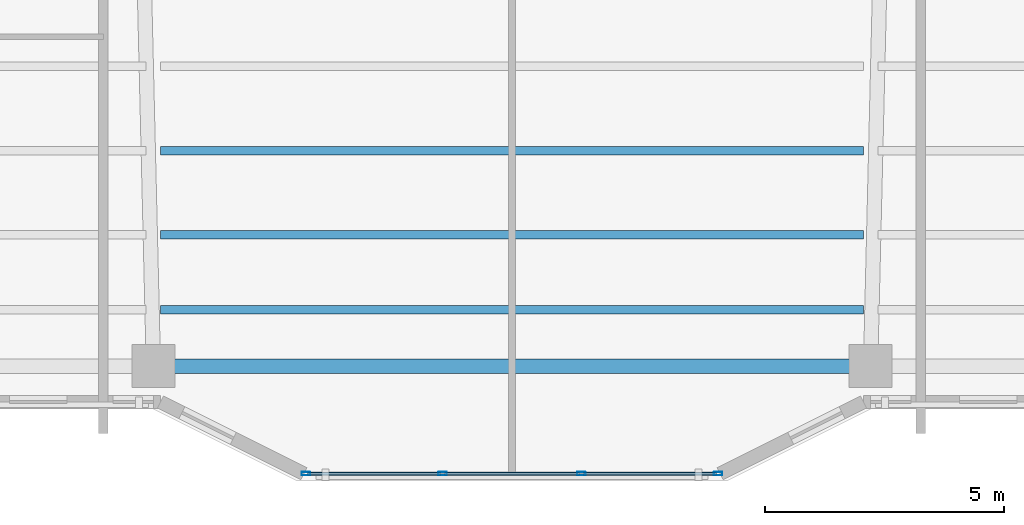
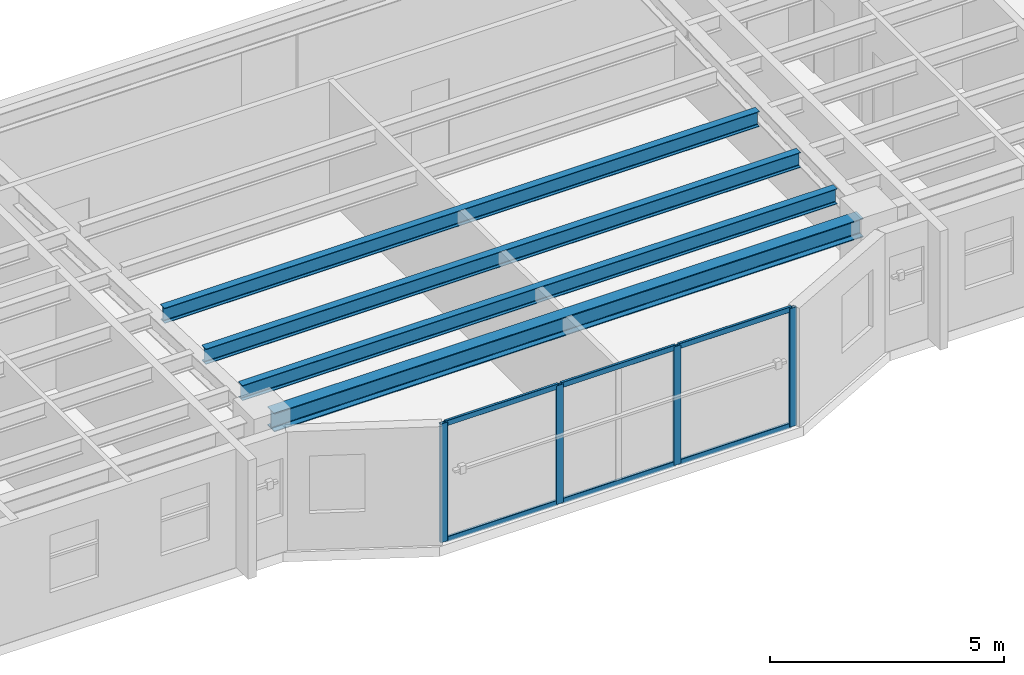
# One storey, part 2 of 16: 10 members, 4 beams, 1 element without a shape of its own.
"""IFC4 building model written with IfcOpenShell, lengths in metres."""

import ifcopenshell
import ifcopenshell.guid

model = None  # the IFC model being written
_history = None  # IfcOwnerHistory: only IFC2X3 demands one
_inside = {}  # id of a spatial element -> (the spatial element, [elements in it])
_under = {}  # id of a project, library or spatial element -> (it, [spatial elements below it])
_declared = {}  # id of a project -> (the project, [libraries it declares])
_typed = {}  # id of a type object -> (the type object, [elements of that type])
_made_of = {}  # id of a material, layer set ... -> (it, [elements and type objects made of it])


def new_model(schema):
    """Start an empty IFC model of exactly this schema.

    Asked for "IFC4X3", IfcOpenShell would pick the latest addendum, in which some entities
    have other attributes; the version numbers below select the first issue.
    IFC2X3 requires an IfcOwnerHistory on every rooted entity: one is made here for all.
    """
    global model, _history
    if schema == "IFC4X3":
        model = ifcopenshell.file(schema_version=(4, 3, 0, 0))
    else:
        model = ifcopenshell.file(schema=schema)
    _inside.clear()
    _under.clear()
    _declared.clear()
    _typed.clear()
    _made_of.clear()
    _history = None
    if model.schema == "IFC2X3":
        org = make("IfcOrganization", Name="unknown")
        user = make(
            "IfcPersonAndOrganization",
            ThePerson=make("IfcPerson", FamilyName="unknown"),
            TheOrganization=org,
        )
        app = make(
            "IfcApplication",
            ApplicationDeveloper=org,
            Version="unknown",
            ApplicationFullName="unknown",
            ApplicationIdentifier="unknown",
        )
        _history = make(
            "IfcOwnerHistory",
            OwningUser=user,
            OwningApplication=app,
            ChangeAction="ADDED",
            CreationDate=0,
        )
    return model


def make(cls, **values):
    """One entity of the class cls with the attributes given. An attribute that is None is left unset."""
    return model.create_entity(
        cls, **{name: value for name, value in values.items() if value is not None}
    )


def rooted(cls, **values):
    """An entity with a GlobalId (a new one), such as an element, a storey or a relation."""
    return make(cls, GlobalId=ifcopenshell.guid.new(), OwnerHistory=_history, **values)


def si_unit(unit_type, name, prefix=None):
    """IfcSIUnit, for example si_unit("LENGTHUNIT", "METRE", prefix="MILLI")."""
    return make("IfcSIUnit", UnitType=unit_type, Prefix=prefix, Name=name)


def assignment(units):
    """IfcUnitAssignment: the units of a project."""
    return None if units is None else make("IfcUnitAssignment", Units=units)


def point(xyz):
    """IfcCartesianPoint."""
    return None if xyz is None else make("IfcCartesianPoint", Coordinates=xyz)


def direction(xyz):
    """IfcDirection."""
    return None if xyz is None else make("IfcDirection", DirectionRatios=xyz)


def frame(location, z_axis=None, x_axis=None):
    """IfcAxis2Placement3D, a coordinate frame: its origin and axes. An axis left out is left unset."""
    return make(
        "IfcAxis2Placement3D",
        Location=point(location),
        Axis=direction(z_axis),
        RefDirection=direction(x_axis),
    )


def frame_2d(location, x_axis=None):
    """IfcAxis2Placement2D, a coordinate frame in the plane: its origin and x axis."""
    return make(
        "IfcAxis2Placement2D", Location=point(location), RefDirection=direction(x_axis)
    )


def origin():
    """The frame at (0, 0, 0) with its axes left unset."""
    return frame((0.0, 0.0, 0.0))


def origin_2d():
    """The frame at (0, 0) in the plane with its x axis left unset."""
    return frame_2d((0.0, 0.0))


def place(relative_to, where):
    """IfcLocalPlacement: puts the frame where relative to a parent placement (None: the world)."""
    return make(
        "IfcLocalPlacement", PlacementRelTo=relative_to, RelativePlacement=where
    )


def context(
    kind, dimensions, precision=None, world=None, true_north=None, identifier=None
):
    """IfcGeometricRepresentationContext, for example the 3D "Model" context."""
    return make(
        "IfcGeometricRepresentationContext",
        ContextIdentifier=identifier,
        ContextType=kind,
        CoordinateSpaceDimension=dimensions,
        Precision=precision,
        WorldCoordinateSystem=world,
        TrueNorth=true_north,
    )


def subcontext(parent, identifier, kind, view, scale=None):
    """IfcGeometricRepresentationSubContext, for example "Body" below "Model"."""
    return make(
        "IfcGeometricRepresentationSubContext",
        ContextIdentifier=identifier,
        ContextType=kind,
        ParentContext=parent,
        TargetScale=scale,
        TargetView=view,
    )


def project(units=None, contexts=None):
    """IfcProject with its units and contexts."""
    return rooted(
        "IfcProject",
        Name="project",
        RepresentationContexts=contexts,
        UnitsInContext=assignment(units),
    )


def spatial(cls, under=None, at=None, **own):
    """A site, building, storey or space (cls), placed at a placement, below another one or the project."""
    s = rooted(cls, ObjectPlacement=at, **own)
    if under is not None:
        _under.setdefault(under.id(), (under, []))[1].append(s)
    return s


def profile(cls, at=None, kind="AREA", **sizes):
    """A parametric profile (cls). Its sizes go by their IFC names, for example OverallWidth=200.0."""
    return make(cls, ProfileType=kind, Position=at, **sizes)


def hollow_rectangle(**sizes):
    """IfcRectangleHollowProfileDef."""
    return profile("IfcRectangleHollowProfileDef", **sizes)


def i_section(**sizes):
    """IfcIShapeProfileDef."""
    return profile("IfcIShapeProfileDef", **sizes)


def extrude(swept, where, along, depth):
    """IfcExtrudedAreaSolid: the profile swept, set in the frame where, extruded along a direction by depth."""
    return make(
        "IfcExtrudedAreaSolid",
        SweptArea=swept,
        Position=where,
        ExtrudedDirection=direction(along),
        Depth=depth,
    )


def shape(context_of_items, identifier, shape_type, items):
    """IfcShapeRepresentation: the items that make up one representation, for example the "Body"."""
    return make(
        "IfcShapeRepresentation",
        ContextOfItems=context_of_items,
        RepresentationIdentifier=identifier,
        RepresentationType=shape_type,
        Items=items,
    )


def material(Name=None, Category=None):
    """IfcMaterial."""
    return make("IfcMaterial", Name=Name, Category=Category)


def layer(
    of_material, thickness, ventilated=None, Name=None, Category=None, Priority=None
):
    """IfcMaterialLayer: one layer of a wall or slab, of a material (None: an air gap)."""
    return make(
        "IfcMaterialLayer",
        Material=of_material,
        LayerThickness=thickness,
        IsVentilated=ventilated,
        Name=Name,
        Category=Category,
        Priority=Priority,
    )


def layer_set(layers, Name=None):
    """IfcMaterialLayerSet."""
    return make("IfcMaterialLayerSet", MaterialLayers=layers, LayerSetName=Name)


def material_profile(
    of_material, cross_section, Name=None, Category=None, Priority=None
):
    """IfcMaterialProfile: a cross section and its material."""
    return make(
        "IfcMaterialProfile",
        Name=Name,
        Material=of_material,
        Profile=cross_section,
        Priority=Priority,
        Category=Category,
    )


def profile_set(profiles, Name=None, composite=None):
    """IfcMaterialProfileSet."""
    return make(
        "IfcMaterialProfileSet",
        Name=Name,
        MaterialProfiles=profiles,
        CompositeProfile=composite,
    )


def made_of(thing, what):
    """Note that an element or type object is made of a material, layer set ...; save() writes the relation."""
    if what is not None:
        _made_of.setdefault(what.id(), (what, []))[1].append(thing)
    return thing


def type_object(cls, material=None, **own):
    """A type object (cls), such as IfcWallType, which elements share."""
    return made_of(rooted(cls, **own), material)


def element(
    cls,
    number,
    at=None,
    inside=None,
    cuts=None,
    type_object=None,
    material=None,
    context=None,
    identifier="Body",
    shape_type=None,
    held_by="IfcProductDefinitionShape",
    body=None,
    shapes=None,
    **own,
):
    """One element of the class cls, such as IfcWall. Its Tag is "e" and its number.

    at: its placement. inside: the storey or other place that contains it. cuts: it is an
    opening in that element (IfcRelVoidsElement). A single representation is given by context,
    identifier, shape_type and body (its items); several are given by shapes. held_by: the class
    of the entity that holds the representations. save() writes the other relations.
    """
    e = rooted(cls, Tag="e%d" % number, ObjectPlacement=at, **own)
    if body is not None:
        shapes = [shape(context, identifier, shape_type, body)]
    if shapes is not None:
        e.Representation = make(held_by, Representations=shapes)
    if inside is not None:
        _inside.setdefault(inside.id(), (inside, []))[1].append(e)
    if cuts is not None:
        rooted(
            "IfcRelVoidsElement", RelatingBuildingElement=cuts, RelatedOpeningElement=e
        )
    if type_object is not None:
        _typed.setdefault(type_object.id(), (type_object, []))[1].append(e)
    return made_of(e, material)


def aggregate(whole, parts):
    """IfcRelAggregates: a whole, such as a stair, and the parts it consists of."""
    return rooted("IfcRelAggregates", RelatingObject=whole, RelatedObjects=parts)


def save(model, path):
    """Write the relations noted so far, then the file.

    IfcRelAggregates (storeys below a building ...), IfcRelContainedInSpatialStructure (elements
    in a storey), IfcRelDefinesByType, IfcRelAssociatesMaterial and IfcRelDeclares: one each for
    every whole, place, type object, material and project.
    """
    for whole, parts in _under.values():
        aggregate(whole, parts)
    for where, things in _inside.values():
        rooted(
            "IfcRelContainedInSpatialStructure",
            RelatedElements=things,
            RelatingStructure=where,
        )
    for kind, things in _typed.values():
        rooted("IfcRelDefinesByType", RelatedObjects=things, RelatingType=kind)
    for what, things in _made_of.values():
        rooted("IfcRelAssociatesMaterial", RelatedObjects=things, RelatingMaterial=what)
    for by, libraries in _declared.values():
        rooted("IfcRelDeclares", RelatingContext=by, RelatedDefinitions=libraries)
    model.write(path)


model = new_model("IFC4")

# Units and contexts
model_context = context("Model", 3, precision=1e-05, world=origin(), true_north=direction((0.0, 1.0)))
body_context = subcontext(model_context, "Body", "Model", "MODEL_VIEW")
ifc_project = project(units=[si_unit("LENGTHUNIT", "METRE"), si_unit("AREAUNIT", "SQUARE_METRE"), si_unit("VOLUMEUNIT", "CUBIC_METRE"), si_unit("PLANEANGLEUNIT", "RADIAN"), si_unit("MASSUNIT", "GRAM", prefix="KILO")], contexts=[model_context])

# Site, building, storey
site_placement = place(None, origin())
site = spatial("IfcSite", under=ifc_project, at=site_placement, CompositionType="ELEMENT")
building_placement = place(site_placement, origin())
building = spatial("IfcBuilding", under=site, at=building_placement, Name="Tarnavaz Court Tower", CompositionType="ELEMENT")
storey_placement = place(building_placement, frame((0.0, 0.0, 152.699951171875)))
storey = spatial("IfcBuildingStorey", under=building, at=storey_placement, Name="L41", CompositionType="ELEMENT", Elevation=152.699951171875)

# Beams
ifc_material_1 = material(Name="Steel S355", Category="steel")
ifc_material_profile_1 = material_profile(ifc_material_1, i_section(OverallWidth=0.179931640625, OverallDepth=0.39990234375, WebThickness=0.008544921875, FlangeThickness=0.013427734375, FilletRadius=0.02099609375, at=origin_2d()), Name="IPE 400")
ifc_profile_set_1 = profile_set([ifc_material_profile_1], Name="Steel S355")
beam_type_1 = type_object("IfcBeamType", Name="BM-J-IPE400", PredefinedType="JOIST", material=ifc_profile_set_1)
for number, where, z_axis, x_axis, name in (
    (1, (-7.35009765625, -15.89208984375, 2.900146484375), (1.0, 0.0, 0.0), (0.0, 1.0, 0.0), "L41 Beam JS3-2"),
    (2, (-7.35009765625, -17.656005859375, 2.900146484375), (1.0, 0.0, 0.0), (0.0, 1.0, 0.0), "L41 Beam JS4-2"),
    (3, (-7.35009765625, -19.22412109375, 2.900146484375), (1.0, 0.0, 0.0), (0.0, 1.0, 0.0), "L41 Beam JS5-2"),
):
    element("IfcBeam", number, at=place(storey_placement, frame(where, z_axis=z_axis, x_axis=x_axis)), inside=storey, type_object=beam_type_1, Name=name, PredefinedType="JOIST", context=body_context, shape_type="SweptSolid", body=[
        extrude(i_section(OverallWidth=0.179931640625, OverallDepth=0.39990234375, WebThickness=0.008544921875, FlangeThickness=0.013427734375, FilletRadius=0.02099609375, at=origin_2d()), origin(), (0.0, 0.0, 1.0), 14.7001953125),
    ])
ifc_material_profile_2 = material_profile(ifc_material_1, i_section(OverallWidth=0.300048828125, OverallDepth=0.489990234375, WebThickness=0.011962890625, FlangeThickness=0.02294921875, FilletRadius=0.027099609375, at=origin_2d()), Name="HEA 500")
ifc_profile_set_2 = profile_set([ifc_material_profile_2], Name="Steel S355")
beam_type_2 = type_object("IfcBeamType", Name="BM-SP-HEA500", PredefinedType="SPANDREL", material=ifc_profile_set_2)
beam_placement = place(storey_placement, frame((-7.280029296875, -20.39990234375, 2.85498046875), z_axis=(1.0, 0.0, 0.0), x_axis=(0.0, 1.0, 0.0)))
element("IfcBeam", 4, at=beam_placement, inside=storey, type_object=beam_type_2, Name="L41 Beam PR-PS-2-PS-3", PredefinedType="SPANDREL", context=body_context, shape_type="SweptSolid", body=[
    extrude(i_section(OverallWidth=0.300048828125, OverallDepth=0.489990234375, WebThickness=0.011962890625, FlangeThickness=0.02294921875, FilletRadius=0.027099609375, at=origin_2d()), origin(), (0.0, 0.0, 1.0), 14.56005859375),
])

# Curtain wall, members
ifc_material_2 = material(Name="Anodised Aluminium 6063-T6 and Solar Low-E Glazing", Category="aluminium")
ifc_layer = layer(ifc_material_2, 0.159912109375)
ifc_layer_set = layer_set([ifc_layer], Name="Anodised Aluminium 6063-T6 and Solar Low-E Glazing")
curtain_wall_type = type_object("IfcCurtainWallType", Name="CW-SYS-03", PredefinedType="NOTDEFINED", material=ifc_layer_set)
curtain_wall_placement = place(storey_placement, origin())
curtain_wall = element("IfcCurtainWall", 5, at=curtain_wall_placement, inside=storey, type_object=curtain_wall_type, Name="L41 Iwan Prow Curtain Wall 17", PredefinedType="NOTDEFINED")
ifc_material_3 = material(Name="Anodised Aluminium 6063-T6", Category="aluminium")
ifc_material_profile_3 = material_profile(ifc_material_3, hollow_rectangle(XDim=0.074951171875, YDim=0.179931640625, WallThickness=0.0048828125, InnerFilletRadius=0.0048828125, OuterFilletRadius=0.010009765625, at=origin_2d()), Name="ALU RHS 180X75X5")
ifc_profile_set_3 = profile_set([ifc_material_profile_3], Name="Anodised Aluminium 6063-T6")
member_type_1 = type_object("IfcMemberType", Name="CW-MUL-180", PredefinedType="MULLION", material=ifc_profile_set_3)
member_1_placement = place(storey_placement, frame((4.3125, -22.64990234375, 0.0), z_axis=(0.0, 0.0, 1.0), x_axis=(0.0, -1.0, 0.0)))
member_1 = element("IfcMember", 6, at=member_1_placement, type_object=member_type_1, Name="CW mullion 1", PredefinedType="MULLION", context=body_context, shape_type="SweptSolid", body=[
    extrude(hollow_rectangle(XDim=0.074951171875, YDim=0.179931640625, WallThickness=0.0048828125, InnerFilletRadius=0.0048828125, OuterFilletRadius=0.010009765625, at=origin_2d()), origin(), (0.0, 0.0, 1.0), 3.10009765625),
])
member_2_placement = place(storey_placement, frame((1.449951171875, -22.64990234375, 0.0), z_axis=(0.0, 0.0, 1.0), x_axis=(0.0, -1.0, 0.0)))
member_2 = element("IfcMember", 7, at=member_2_placement, type_object=member_type_1, Name="CW mullion 2", PredefinedType="MULLION", context=body_context, shape_type="SweptSolid", body=[
    extrude(hollow_rectangle(XDim=0.074951171875, YDim=0.179931640625, WallThickness=0.0048828125, InnerFilletRadius=0.0048828125, OuterFilletRadius=0.010009765625, at=origin_2d()), origin(), (0.0, 0.0, 1.0), 3.10009765625),
])
member_3_placement = place(storey_placement, frame((-1.449951171875, -22.64990234375, 0.0), z_axis=(0.0, 0.0, 1.0), x_axis=(0.0, -1.0, 0.0)))
member_3 = element("IfcMember", 8, at=member_3_placement, type_object=member_type_1, Name="CW mullion 3", PredefinedType="MULLION", context=body_context, shape_type="SweptSolid", body=[
    extrude(hollow_rectangle(XDim=0.074951171875, YDim=0.179931640625, WallThickness=0.0048828125, InnerFilletRadius=0.0048828125, OuterFilletRadius=0.010009765625, at=origin_2d()), origin(), (0.0, 0.0, 1.0), 3.10009765625),
])
member_4_placement = place(storey_placement, frame((-4.3125, -22.64990234375, 0.0), z_axis=(0.0, 0.0, 1.0), x_axis=(0.0, -1.0, 0.0)))
member_4 = element("IfcMember", 9, at=member_4_placement, type_object=member_type_1, Name="CW mullion 4", PredefinedType="MULLION", context=body_context, shape_type="SweptSolid", body=[
    extrude(hollow_rectangle(XDim=0.074951171875, YDim=0.179931640625, WallThickness=0.0048828125, InnerFilletRadius=0.0048828125, OuterFilletRadius=0.010009765625, at=origin_2d()), origin(), (0.0, 0.0, 1.0), 3.10009765625),
])
ifc_material_profile_4 = material_profile(ifc_material_3, hollow_rectangle(XDim=0.06494140625, YDim=0.139892578125, WallThickness=0.00390625, InnerFilletRadius=0.00390625, OuterFilletRadius=0.008056640625, at=origin_2d()), Name="ALU RHS 140X65X4")
ifc_profile_set_4 = profile_set([ifc_material_profile_4], Name="Anodised Aluminium 6063-T6")
member_type_2 = type_object("IfcMemberType", Name="CW-TRN-140", PredefinedType="USERDEFINED", material=ifc_profile_set_4)
member_5_placement = place(storey_placement, frame((4.27490234375, -22.64990234375, 0.032470703125), z_axis=(-1.0, 0.0, 0.0), x_axis=(0.0, -1.0, 0.0)))
member_5 = element("IfcMember", 10, at=member_5_placement, type_object=member_type_2, Name="CW transom 1.1", ObjectType="TRANSOM", PredefinedType="USERDEFINED", context=body_context, shape_type="SweptSolid", body=[
    extrude(hollow_rectangle(XDim=0.06494140625, YDim=0.139892578125, WallThickness=0.00390625, InnerFilletRadius=0.00390625, OuterFilletRadius=0.008056640625, at=origin_2d()), origin(), (0.0, 0.0, 1.0), 2.787353515625),
])
member_6_placement = place(storey_placement, frame((4.27490234375, -22.64990234375, 3.067626953125), z_axis=(-1.0, 0.0, 0.0), x_axis=(0.0, -1.0, 0.0)))
member_6 = element("IfcMember", 11, at=member_6_placement, type_object=member_type_2, Name="CW transom 1.2", ObjectType="TRANSOM", PredefinedType="USERDEFINED", context=body_context, shape_type="SweptSolid", body=[
    extrude(hollow_rectangle(XDim=0.06494140625, YDim=0.139892578125, WallThickness=0.00390625, InnerFilletRadius=0.00390625, OuterFilletRadius=0.008056640625, at=origin_2d()), origin(), (0.0, 0.0, 1.0), 2.787353515625),
])
member_7_placement = place(storey_placement, frame((1.41259765625, -22.64990234375, 0.032470703125), z_axis=(-1.0, 0.0, 0.0), x_axis=(0.0, -1.0, 0.0)))
member_7 = element("IfcMember", 12, at=member_7_placement, type_object=member_type_2, Name="CW transom 2.1", ObjectType="TRANSOM", PredefinedType="USERDEFINED", context=body_context, shape_type="SweptSolid", body=[
    extrude(hollow_rectangle(XDim=0.06494140625, YDim=0.139892578125, WallThickness=0.00390625, InnerFilletRadius=0.00390625, OuterFilletRadius=0.008056640625, at=origin_2d()), origin(), (0.0, 0.0, 1.0), 2.8251953125),
])
member_8_placement = place(storey_placement, frame((1.41259765625, -22.64990234375, 3.067626953125), z_axis=(-1.0, 0.0, 0.0), x_axis=(0.0, -1.0, 0.0)))
member_8 = element("IfcMember", 13, at=member_8_placement, type_object=member_type_2, Name="CW transom 2.2", ObjectType="TRANSOM", PredefinedType="USERDEFINED", context=body_context, shape_type="SweptSolid", body=[
    extrude(hollow_rectangle(XDim=0.06494140625, YDim=0.139892578125, WallThickness=0.00390625, InnerFilletRadius=0.00390625, OuterFilletRadius=0.008056640625, at=origin_2d()), origin(), (0.0, 0.0, 1.0), 2.8251953125),
])
member_9_placement = place(storey_placement, frame((-1.487548828125, -22.64990234375, 0.032470703125), z_axis=(-1.0, 0.0, 0.0), x_axis=(0.0, -1.0, 0.0)))
member_9 = element("IfcMember", 14, at=member_9_placement, type_object=member_type_2, Name="CW transom 3.1", ObjectType="TRANSOM", PredefinedType="USERDEFINED", context=body_context, shape_type="SweptSolid", body=[
    extrude(hollow_rectangle(XDim=0.06494140625, YDim=0.139892578125, WallThickness=0.00390625, InnerFilletRadius=0.00390625, OuterFilletRadius=0.008056640625, at=origin_2d()), origin(), (0.0, 0.0, 1.0), 2.787353515625),
])
member_10_placement = place(storey_placement, frame((-1.487548828125, -22.64990234375, 3.067626953125), z_axis=(-1.0, 0.0, 0.0), x_axis=(0.0, -1.0, 0.0)))
member_10 = element("IfcMember", 15, at=member_10_placement, type_object=member_type_2, Name="CW transom 3.2", ObjectType="TRANSOM", PredefinedType="USERDEFINED", context=body_context, shape_type="SweptSolid", body=[
    extrude(hollow_rectangle(XDim=0.06494140625, YDim=0.139892578125, WallThickness=0.00390625, InnerFilletRadius=0.00390625, OuterFilletRadius=0.008056640625, at=origin_2d()), origin(), (0.0, 0.0, 1.0), 2.787353515625),
])
aggregate(curtain_wall, [member_1, member_2, member_3, member_4, member_5, member_6, member_7, member_8, member_9, member_10])

save(model, "model.ifc")
